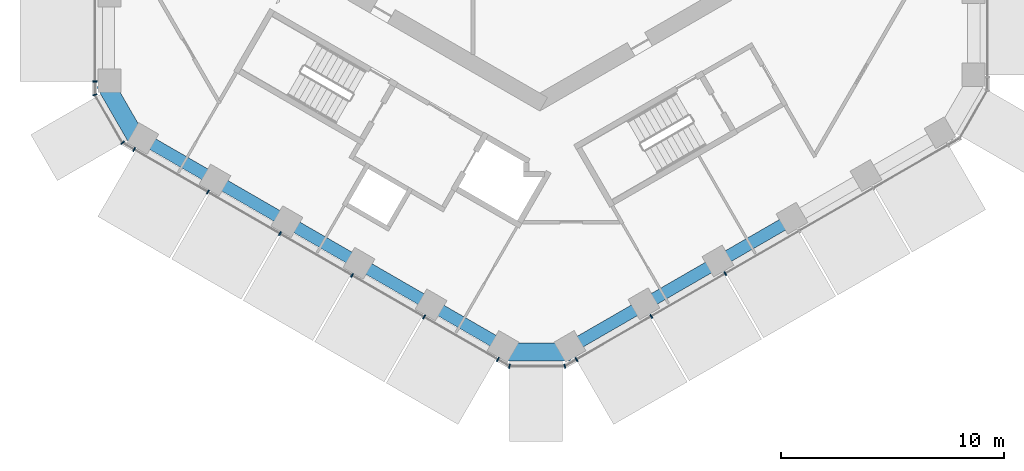
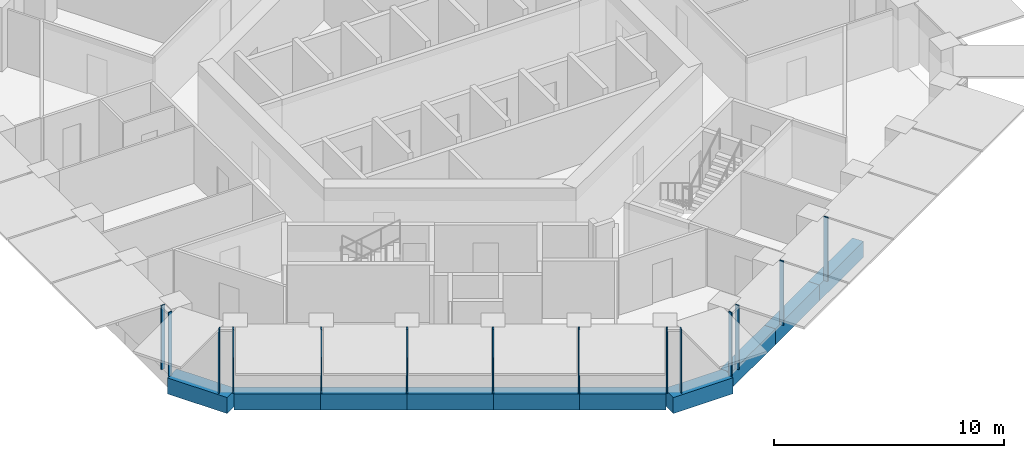
# One storey, part 2 of 18: 14 members, 10 beams, 5 elements without a shape of their own.
"""IFC4 building model written with IfcOpenShell, lengths in metres."""

import ifcopenshell
import ifcopenshell.guid

model = None  # the IFC model being written
_history = None  # IfcOwnerHistory: only IFC2X3 demands one
_inside = {}  # id of a spatial element -> (the spatial element, [elements in it])
_under = {}  # id of a project, library or spatial element -> (it, [spatial elements below it])
_declared = {}  # id of a project -> (the project, [libraries it declares])
_typed = {}  # id of a type object -> (the type object, [elements of that type])
_made_of = {}  # id of a material, layer set ... -> (it, [elements and type objects made of it])


def new_model(schema):
    """Start an empty IFC model of exactly this schema.

    Asked for "IFC4X3", IfcOpenShell would pick the latest addendum, in which some entities
    have other attributes; the version numbers below select the first issue.
    IFC2X3 requires an IfcOwnerHistory on every rooted entity: one is made here for all.
    """
    global model, _history
    if schema == "IFC4X3":
        model = ifcopenshell.file(schema_version=(4, 3, 0, 0))
    else:
        model = ifcopenshell.file(schema=schema)
    _inside.clear()
    _under.clear()
    _declared.clear()
    _typed.clear()
    _made_of.clear()
    _history = None
    if model.schema == "IFC2X3":
        org = make("IfcOrganization", Name="unknown")
        user = make(
            "IfcPersonAndOrganization",
            ThePerson=make("IfcPerson", FamilyName="unknown"),
            TheOrganization=org,
        )
        app = make(
            "IfcApplication",
            ApplicationDeveloper=org,
            Version="unknown",
            ApplicationFullName="unknown",
            ApplicationIdentifier="unknown",
        )
        _history = make(
            "IfcOwnerHistory",
            OwningUser=user,
            OwningApplication=app,
            ChangeAction="ADDED",
            CreationDate=0,
        )
    return model


def make(cls, **values):
    """One entity of the class cls with the attributes given. An attribute that is None is left unset."""
    return model.create_entity(
        cls, **{name: value for name, value in values.items() if value is not None}
    )


def rooted(cls, **values):
    """An entity with a GlobalId (a new one), such as an element, a storey or a relation."""
    return make(cls, GlobalId=ifcopenshell.guid.new(), OwnerHistory=_history, **values)


def si_unit(unit_type, name, prefix=None):
    """IfcSIUnit, for example si_unit("LENGTHUNIT", "METRE", prefix="MILLI")."""
    return make("IfcSIUnit", UnitType=unit_type, Prefix=prefix, Name=name)


def assignment(units):
    """IfcUnitAssignment: the units of a project."""
    return None if units is None else make("IfcUnitAssignment", Units=units)


def point(xyz):
    """IfcCartesianPoint."""
    return None if xyz is None else make("IfcCartesianPoint", Coordinates=xyz)


def direction(xyz):
    """IfcDirection."""
    return None if xyz is None else make("IfcDirection", DirectionRatios=xyz)


def frame(location, z_axis=None, x_axis=None):
    """IfcAxis2Placement3D, a coordinate frame: its origin and axes. An axis left out is left unset."""
    return make(
        "IfcAxis2Placement3D",
        Location=point(location),
        Axis=direction(z_axis),
        RefDirection=direction(x_axis),
    )


def frame_2d(location, x_axis=None):
    """IfcAxis2Placement2D, a coordinate frame in the plane: its origin and x axis."""
    return make(
        "IfcAxis2Placement2D", Location=point(location), RefDirection=direction(x_axis)
    )


def origin():
    """The frame at (0, 0, 0) with its axes left unset."""
    return frame((0.0, 0.0, 0.0))


def origin_2d():
    """The frame at (0, 0) in the plane with its x axis left unset."""
    return frame_2d((0.0, 0.0))


def place(relative_to, where):
    """IfcLocalPlacement: puts the frame where relative to a parent placement (None: the world)."""
    return make(
        "IfcLocalPlacement", PlacementRelTo=relative_to, RelativePlacement=where
    )


def context(
    kind, dimensions, precision=None, world=None, true_north=None, identifier=None
):
    """IfcGeometricRepresentationContext, for example the 3D "Model" context."""
    return make(
        "IfcGeometricRepresentationContext",
        ContextIdentifier=identifier,
        ContextType=kind,
        CoordinateSpaceDimension=dimensions,
        Precision=precision,
        WorldCoordinateSystem=world,
        TrueNorth=true_north,
    )


def subcontext(parent, identifier, kind, view, scale=None):
    """IfcGeometricRepresentationSubContext, for example "Body" below "Model"."""
    return make(
        "IfcGeometricRepresentationSubContext",
        ContextIdentifier=identifier,
        ContextType=kind,
        ParentContext=parent,
        TargetScale=scale,
        TargetView=view,
    )


def project(units=None, contexts=None):
    """IfcProject with its units and contexts."""
    return rooted(
        "IfcProject",
        Name="project",
        RepresentationContexts=contexts,
        UnitsInContext=assignment(units),
    )


def spatial(cls, under=None, at=None, **own):
    """A site, building, storey or space (cls), placed at a placement, below another one or the project."""
    s = rooted(cls, ObjectPlacement=at, **own)
    if under is not None:
        _under.setdefault(under.id(), (under, []))[1].append(s)
    return s


def profile(cls, at=None, kind="AREA", **sizes):
    """A parametric profile (cls). Its sizes go by their IFC names, for example OverallWidth=200.0."""
    return make(cls, ProfileType=kind, Position=at, **sizes)


def rectangle(**sizes):
    """IfcRectangleProfileDef."""
    return profile("IfcRectangleProfileDef", **sizes)


def extrude(swept, where, along, depth):
    """IfcExtrudedAreaSolid: the profile swept, set in the frame where, extruded along a direction by depth."""
    return make(
        "IfcExtrudedAreaSolid",
        SweptArea=swept,
        Position=where,
        ExtrudedDirection=direction(along),
        Depth=depth,
    )


def shape(context_of_items, identifier, shape_type, items):
    """IfcShapeRepresentation: the items that make up one representation, for example the "Body"."""
    return make(
        "IfcShapeRepresentation",
        ContextOfItems=context_of_items,
        RepresentationIdentifier=identifier,
        RepresentationType=shape_type,
        Items=items,
    )


def material(Name=None, Category=None):
    """IfcMaterial."""
    return make("IfcMaterial", Name=Name, Category=Category)


def layer(
    of_material, thickness, ventilated=None, Name=None, Category=None, Priority=None
):
    """IfcMaterialLayer: one layer of a wall or slab, of a material (None: an air gap)."""
    return make(
        "IfcMaterialLayer",
        Material=of_material,
        LayerThickness=thickness,
        IsVentilated=ventilated,
        Name=Name,
        Category=Category,
        Priority=Priority,
    )


def layer_set(layers, Name=None):
    """IfcMaterialLayerSet."""
    return make("IfcMaterialLayerSet", MaterialLayers=layers, LayerSetName=Name)


def material_profile(
    of_material, cross_section, Name=None, Category=None, Priority=None
):
    """IfcMaterialProfile: a cross section and its material."""
    return make(
        "IfcMaterialProfile",
        Name=Name,
        Material=of_material,
        Profile=cross_section,
        Priority=Priority,
        Category=Category,
    )


def profile_set(profiles, Name=None, composite=None):
    """IfcMaterialProfileSet."""
    return make(
        "IfcMaterialProfileSet",
        Name=Name,
        MaterialProfiles=profiles,
        CompositeProfile=composite,
    )


def made_of(thing, what):
    """Note that an element or type object is made of a material, layer set ...; save() writes the relation."""
    if what is not None:
        _made_of.setdefault(what.id(), (what, []))[1].append(thing)
    return thing


def type_object(cls, material=None, **own):
    """A type object (cls), such as IfcWallType, which elements share."""
    return made_of(rooted(cls, **own), material)


def element(
    cls,
    number,
    at=None,
    inside=None,
    cuts=None,
    type_object=None,
    material=None,
    context=None,
    identifier="Body",
    shape_type=None,
    held_by="IfcProductDefinitionShape",
    body=None,
    shapes=None,
    **own,
):
    """One element of the class cls, such as IfcWall. Its Tag is "e" and its number.

    at: its placement. inside: the storey or other place that contains it. cuts: it is an
    opening in that element (IfcRelVoidsElement). A single representation is given by context,
    identifier, shape_type and body (its items); several are given by shapes. held_by: the class
    of the entity that holds the representations. save() writes the other relations.
    """
    e = rooted(cls, Tag="e%d" % number, ObjectPlacement=at, **own)
    if body is not None:
        shapes = [shape(context, identifier, shape_type, body)]
    if shapes is not None:
        e.Representation = make(held_by, Representations=shapes)
    if inside is not None:
        _inside.setdefault(inside.id(), (inside, []))[1].append(e)
    if cuts is not None:
        rooted(
            "IfcRelVoidsElement", RelatingBuildingElement=cuts, RelatedOpeningElement=e
        )
    if type_object is not None:
        _typed.setdefault(type_object.id(), (type_object, []))[1].append(e)
    return made_of(e, material)


def aggregate(whole, parts):
    """IfcRelAggregates: a whole, such as a stair, and the parts it consists of."""
    return rooted("IfcRelAggregates", RelatingObject=whole, RelatedObjects=parts)


def save(model, path):
    """Write the relations noted so far, then the file.

    IfcRelAggregates (storeys below a building ...), IfcRelContainedInSpatialStructure (elements
    in a storey), IfcRelDefinesByType, IfcRelAssociatesMaterial and IfcRelDeclares: one each for
    every whole, place, type object, material and project.
    """
    for whole, parts in _under.values():
        aggregate(whole, parts)
    for where, things in _inside.values():
        rooted(
            "IfcRelContainedInSpatialStructure",
            RelatedElements=things,
            RelatingStructure=where,
        )
    for kind, things in _typed.values():
        rooted("IfcRelDefinesByType", RelatedObjects=things, RelatingType=kind)
    for what, things in _made_of.values():
        rooted("IfcRelAssociatesMaterial", RelatedObjects=things, RelatingMaterial=what)
    for by, libraries in _declared.values():
        rooted("IfcRelDeclares", RelatingContext=by, RelatedDefinitions=libraries)
    model.write(path)


model = new_model("IFC4")

# Units and contexts
model_context = context("Model", 3, precision=1e-05, world=origin(), true_north=direction((0.0, 1.0)))
body_context = subcontext(model_context, "Body", "Model", "MODEL_VIEW")
ifc_project = project(units=[si_unit("LENGTHUNIT", "METRE"), si_unit("AREAUNIT", "SQUARE_METRE"), si_unit("VOLUMEUNIT", "CUBIC_METRE"), si_unit("PLANEANGLEUNIT", "RADIAN"), si_unit("MASSUNIT", "GRAM", prefix="KILO")], contexts=[model_context])

# Site, building, storey
site_placement = place(None, origin())
site = spatial("IfcSite", under=ifc_project, at=site_placement, CompositionType="ELEMENT")
building_placement = place(site_placement, origin())
building = spatial("IfcBuilding", under=site, at=building_placement, Name="Ayvan Gate Tower", CompositionType="ELEMENT")
storey_placement = place(building_placement, frame((0.0, 0.0, 89.89990234375)))
storey = spatial("IfcBuildingStorey", under=building, at=storey_placement, Name="L23", CompositionType="ELEMENT", Elevation=89.89990234375)

# Beams
ifc_material_1 = material(Name="Concrete C40/50", Category="concrete")
ifc_material_profile_1 = material_profile(ifc_material_1, rectangle(XDim=0.800048828125, YDim=0.85009765625, at=origin_2d()), Name="RC 800x850")
ifc_profile_set_1 = profile_set([ifc_material_profile_1], Name="Concrete C40/50")
beam_type_1 = type_object("IfcBeamType", Name="Corner spandrel beam RC 800x850 C40/50", PredefinedType="BEAM", material=ifc_profile_set_1)
for number, where, z_axis, x_axis, name in (
    (1, (-19.571044921875, -9.688720703125, -0.77490234375), (0.499990139034, -0.866031096941, 0.0), (0.866031096941, 0.499990139034, 0.0), "SB-L23-24"),
    (2, (-1.605224609375, -21.793212890625, -0.77490234375), (1.0, 0.0, 0.0), (0.0, 1.0, 0.0), "SB-L23-30"),
):
    element("IfcBeam", number, at=place(storey_placement, frame(where, z_axis=z_axis, x_axis=x_axis)), inside=storey, type_object=beam_type_1, Name=name, PredefinedType="BEAM", context=body_context, shape_type="SweptSolid", body=[
        extrude(rectangle(XDim=0.800048828125, YDim=0.85009765625, at=origin_2d()), origin(), (0.0, 0.0, 1.0), 3.0),
    ])
ifc_material_profile_2 = material_profile(ifc_material_1, rectangle(XDim=0.550048828125, YDim=0.85009765625, at=origin_2d()), Name="RC 550x850")
ifc_profile_set_2 = profile_set([ifc_material_profile_2], Name="Concrete C40/50")
beam_type_2 = type_object("IfcBeamType", Name="Spandrel beam RC 550x850 C40/50", PredefinedType="BEAM", material=ifc_profile_set_2)
beam_1_placement = place(storey_placement, frame((-17.88037109375, -12.1767578125, -0.77490234375), z_axis=(0.866020091923, -0.500009200302, 0.0), x_axis=(0.500009200302, 0.866020091923, 0.0)))
element("IfcBeam", 3, at=beam_1_placement, inside=storey, type_object=beam_type_2, Name="SB-L23-25", PredefinedType="BEAM", context=body_context, shape_type="SweptSolid", body=[
    extrude(rectangle(XDim=0.550048828125, YDim=0.85009765625, at=origin_2d()), origin(), (0.0, 0.0, 1.0), 3.7587890625),
])
beam_2_placement = place(storey_placement, frame((-14.625244140625, -14.05615234375, -0.77490234375), z_axis=(0.866031979728, -0.499988609959, 0.0), x_axis=(0.499988609959, 0.866031979728, 0.0)))
element("IfcBeam", 4, at=beam_2_placement, inside=storey, type_object=beam_type_2, Name="SB-L23-26", PredefinedType="BEAM", context=body_context, shape_type="SweptSolid", body=[
    extrude(rectangle(XDim=0.550048828125, YDim=0.85009765625, at=origin_2d()), origin(), (0.0, 0.0, 1.0), 3.75830078125),
])
beam_3_placement = place(storey_placement, frame((-11.370361328125, -15.935302734375, -0.77490234375), z_axis=(0.866020091923, -0.500009200302, 0.0), x_axis=(0.500009200302, 0.866020091923, 0.0)))
element("IfcBeam", 5, at=beam_3_placement, inside=storey, type_object=beam_type_2, Name="SB-L23-27", PredefinedType="BEAM", context=body_context, shape_type="SweptSolid", body=[
    extrude(rectangle(XDim=0.550048828125, YDim=0.85009765625, at=origin_2d()), origin(), (0.0, 0.0, 1.0), 3.7587890625),
])
for number, where, z_axis, x_axis, name in (
    (6, (-8.115234375, -17.814697265625, -0.77490234375), (0.866048217342, -0.499960483678, 0.0), (0.499960483678, 0.866048217342, 0.0), "SB-L23-28"),
    (7, (-4.860107421875, -19.69384765625, -0.77490234375), (0.866003851672, -0.500037327496, 0.0), (0.500037327496, 0.866003851672, 0.0), "SB-L23-29"),
):
    element("IfcBeam", number, at=place(storey_placement, frame(where, z_axis=z_axis, x_axis=x_axis)), inside=storey, type_object=beam_type_2, Name=name, PredefinedType="BEAM", context=body_context, shape_type="SweptSolid", body=[
        extrude(rectangle(XDim=0.550048828125, YDim=0.85009765625, at=origin_2d()), origin(), (0.0, 0.0, 1.0), 3.758544921875),
    ])
beam_4_placement = place(storey_placement, frame((1.394775390625, -21.5732421875, -0.77490234375), z_axis=(0.866018988906, 0.500011110731, 0.0), x_axis=(-0.500011110731, 0.866018988906, 0.0)))
element("IfcBeam", 8, at=beam_4_placement, inside=storey, type_object=beam_type_2, Name="SB-L23-31", PredefinedType="BEAM", context=body_context, shape_type="SweptSolid", body=[
    extrude(rectangle(XDim=0.550048828125, YDim=0.85009765625, at=origin_2d()), origin(), (0.0, 0.0, 1.0), 3.83154296875),
])
beam_5_placement = place(storey_placement, frame((4.712890625, -19.657470703125, -0.77490234375), z_axis=(0.866034918304, 0.499983520007, 0.0), x_axis=(-0.499983520007, 0.866034918304, 0.0)))
element("IfcBeam", 9, at=beam_5_placement, inside=storey, type_object=beam_type_2, Name="SB-L23-32", PredefinedType="BEAM", context=body_context, shape_type="SweptSolid", body=[
    extrude(rectangle(XDim=0.550048828125, YDim=0.85009765625, at=origin_2d()), origin(), (0.0, 0.0, 1.0), 3.831787109375),
])
beam_6_placement = place(storey_placement, frame((8.03125, -17.74169921875, -0.77490234375), z_axis=(0.866046580459, 0.499963319129, 0.0), x_axis=(-0.499963319129, 0.866046580459, 0.0)))
element("IfcBeam", 10, at=beam_6_placement, inside=storey, type_object=beam_type_2, Name="SB-L23-33", PredefinedType="BEAM", context=body_context, shape_type="SweptSolid", body=[
    extrude(rectangle(XDim=0.550048828125, YDim=0.85009765625, at=origin_2d()), origin(), (0.0, 0.0, 1.0), 3.831298828125),
])

# Curtain wall, member
ifc_material_2 = material(Name="Bronze anodised aluminium", Category="aluminium")
ifc_layer_1 = layer(ifc_material_2, 0.199951171875)
ifc_layer_set_1 = layer_set([ifc_layer_1], Name="Bronze anodised aluminium")
curtain_wall_type_1 = type_object("IfcCurtainWallType", Name="Stick curtain wall CW-1", PredefinedType="NOTDEFINED", material=ifc_layer_set_1)
curtain_wall_1_placement = place(storey_placement, origin())
curtain_wall_1 = element("IfcCurtainWall", 11, at=curtain_wall_1_placement, inside=storey, type_object=curtain_wall_type_1, Name="Stick curtain wall CW-1 L23", PredefinedType="NOTDEFINED")
ifc_material_profile_3 = material_profile(ifc_material_2, rectangle(XDim=0.199951171875, YDim=0.06005859375, at=origin_2d()), Name="Stick curtain wall CW-1 mullion 200 x 60")
ifc_profile_set_3 = profile_set([ifc_material_profile_3], Name="Bronze anodised aluminium")
member_type_1 = type_object("IfcMemberType", Name="Stick curtain wall CW-1 mullion 200 x 60", PredefinedType="MULLION", material=ifc_profile_set_3)
member_1_placement = place(storey_placement, frame((-19.991943359375, -9.638671875, 0.0), z_axis=(0.0, 0.0, 1.0), x_axis=(-1.0, 0.0, 0.0)))
member_1 = element("IfcMember", 12, at=member_1_placement, type_object=member_type_1, Name="CW-1 mullion 6", PredefinedType="MULLION", context=body_context, shape_type="SweptSolid", body=[
    extrude(rectangle(XDim=0.199951171875, YDim=0.06005859375, at=origin_2d()), origin(), (0.0, 0.0, 1.0), 3.400146484375),
])
aggregate(curtain_wall_1, [member_1])

# Curtain wall, members
curtain_wall_2_placement = place(storey_placement, origin())
curtain_wall_2 = element("IfcCurtainWall", 13, at=curtain_wall_2_placement, inside=storey, type_object=curtain_wall_type_1, Name="Stick curtain wall CW-1 L23", PredefinedType="NOTDEFINED")
member_2_placement = place(storey_placement, frame((-18.224609375, -12.69970703125, 0.0), z_axis=(0.0, 0.0, 1.0), x_axis=(-0.5, -0.866025403784, 0.0)))
member_2 = element("IfcMember", 14, at=member_2_placement, type_object=member_type_1, Name="CW-1 mullion 1", PredefinedType="MULLION", context=body_context, shape_type="SweptSolid", body=[
    extrude(rectangle(XDim=0.199951171875, YDim=0.06005859375, at=origin_2d()), origin(), (0.0, 0.0, 1.0), 3.400146484375),
])
member_3_placement = place(storey_placement, frame((-14.912109375, -14.612060546875, 0.0), z_axis=(0.0, 0.0, 1.0), x_axis=(-0.5, -0.866025403784, 0.0)))
member_3 = element("IfcMember", 15, at=member_3_placement, type_object=member_type_1, Name="CW-1 mullion 2", PredefinedType="MULLION", context=body_context, shape_type="SweptSolid", body=[
    extrude(rectangle(XDim=0.199951171875, YDim=0.06005859375, at=origin_2d()), origin(), (0.0, 0.0, 1.0), 3.400146484375),
])
member_4_placement = place(storey_placement, frame((-11.674072265625, -16.481689453125, 0.0), z_axis=(0.0, 0.0, 1.0), x_axis=(-0.5, -0.866025403784, 0.0)))
member_4 = element("IfcMember", 16, at=member_4_placement, type_object=member_type_1, Name="CW-1 mullion 3", PredefinedType="MULLION", context=body_context, shape_type="SweptSolid", body=[
    extrude(rectangle(XDim=0.199951171875, YDim=0.06005859375, at=origin_2d()), origin(), (0.0, 0.0, 1.0), 3.400146484375),
])
member_5_placement = place(storey_placement, frame((-8.43603515625, -18.35107421875, 0.0), z_axis=(0.0, 0.0, 1.0), x_axis=(-0.5, -0.866025403784, 0.0)))
member_5 = element("IfcMember", 17, at=member_5_placement, type_object=member_type_1, Name="CW-1 mullion 4", PredefinedType="MULLION", context=body_context, shape_type="SweptSolid", body=[
    extrude(rectangle(XDim=0.199951171875, YDim=0.06005859375, at=origin_2d()), origin(), (0.0, 0.0, 1.0), 3.400146484375),
])
member_6_placement = place(storey_placement, frame((-5.19873046875, -20.22021484375, 0.0), z_axis=(0.0, 0.0, 1.0), x_axis=(-0.5, -0.866025403784, 0.0)))
member_6 = element("IfcMember", 18, at=member_6_placement, type_object=member_type_1, Name="CW-1 mullion 5", PredefinedType="MULLION", context=body_context, shape_type="SweptSolid", body=[
    extrude(rectangle(XDim=0.199951171875, YDim=0.06005859375, at=origin_2d()), origin(), (0.0, 0.0, 1.0), 3.400146484375),
])
member_7_placement = place(storey_placement, frame((-1.885986328125, -22.1328125, 0.0), z_axis=(0.0, 0.0, 1.0), x_axis=(-0.5, -0.866025403784, 0.0)))
member_7 = element("IfcMember", 19, at=member_7_placement, type_object=member_type_1, Name="CW-1 mullion 6", PredefinedType="MULLION", context=body_context, shape_type="SweptSolid", body=[
    extrude(rectangle(XDim=0.199951171875, YDim=0.06005859375, at=origin_2d()), origin(), (0.0, 0.0, 1.0), 3.400146484375),
])
aggregate(curtain_wall_2, [member_2, member_3, member_4, member_5, member_6, member_7])

curtain_wall_3_placement = place(storey_placement, origin())
curtain_wall_3 = element("IfcCurtainWall", 20, at=curtain_wall_3_placement, inside=storey, type_object=curtain_wall_type_1, Name="Stick curtain wall CW-1 L23", PredefinedType="NOTDEFINED")
member_8_placement = place(storey_placement, frame((1.6484375, -22.1328125, 0.0), z_axis=(0.0, 0.0, 1.0), x_axis=(0.5, -0.866025403784, 0.0)))
member_8 = element("IfcMember", 21, at=member_8_placement, type_object=member_type_1, Name="CW-1 mullion 1", PredefinedType="MULLION", context=body_context, shape_type="SweptSolid", body=[
    extrude(rectangle(XDim=0.199951171875, YDim=0.06005859375, at=origin_2d()), origin(), (0.0, 0.0, 1.0), 3.400146484375),
])
member_9_placement = place(storey_placement, frame((5.006103515625, -20.1943359375, 0.0), z_axis=(0.0, 0.0, 1.0), x_axis=(0.5, -0.866025403784, 0.0)))
member_9 = element("IfcMember", 22, at=member_9_placement, type_object=member_type_1, Name="CW-1 mullion 2", PredefinedType="MULLION", context=body_context, shape_type="SweptSolid", body=[
    extrude(rectangle(XDim=0.199951171875, YDim=0.06005859375, at=origin_2d()), origin(), (0.0, 0.0, 1.0), 3.400146484375),
])
member_10_placement = place(storey_placement, frame((8.33251953125, -18.27392578125, 0.0), z_axis=(0.0, 0.0, 1.0), x_axis=(0.5, -0.866025403784, 0.0)))
member_10 = element("IfcMember", 23, at=member_10_placement, type_object=member_type_1, Name="CW-1 mullion 3", PredefinedType="MULLION", context=body_context, shape_type="SweptSolid", body=[
    extrude(rectangle(XDim=0.199951171875, YDim=0.06005859375, at=origin_2d()), origin(), (0.0, 0.0, 1.0), 3.400146484375),
])
aggregate(curtain_wall_3, [member_8, member_9, member_10])

ifc_layer_2 = layer(ifc_material_2, 0.199951171875)
ifc_layer_set_2 = layer_set([ifc_layer_2], Name="Bronze anodised aluminium")
curtain_wall_type_2 = type_object("IfcCurtainWallType", Name="Stick curtain wall CW-6", PredefinedType="NOTDEFINED", material=ifc_layer_set_2)
curtain_wall_4_placement = place(storey_placement, origin())
curtain_wall_4 = element("IfcCurtainWall", 24, at=curtain_wall_4_placement, inside=storey, type_object=curtain_wall_type_2, Name="Stick curtain wall CW-6 L23", PredefinedType="NOTDEFINED")
ifc_material_profile_4 = material_profile(ifc_material_2, rectangle(XDim=0.199951171875, YDim=0.050048828125, at=origin_2d()), Name="Stick curtain wall CW-6 mullion 200 x 50")
ifc_profile_set_4 = profile_set([ifc_material_profile_4], Name="Bronze anodised aluminium")
member_type_2 = type_object("IfcMemberType", Name="Stick curtain wall CW-6 mullion 200 x 50", PredefinedType="MULLION", material=ifc_profile_set_4)
member_11_placement = place(storey_placement, frame((-19.991943359375, -10.24365234375, 0.0), z_axis=(0.0, 0.0, 1.0), x_axis=(-0.965925826289, -0.258819045103, 0.0)))
member_11 = element("IfcMember", 25, at=member_11_placement, type_object=member_type_2, Name="CW-6 mullion 2", PredefinedType="MULLION", context=body_context, shape_type="SweptSolid", body=[
    extrude(rectangle(XDim=0.199951171875, YDim=0.050048828125, at=origin_2d()), origin(), (0.0, 0.0, 1.0), 3.400146484375),
])
member_12_placement = place(storey_placement, frame((-18.74853515625, -12.397216796875, 0.0), z_axis=(0.0, 0.0, 1.0), x_axis=(-0.707106781187, -0.707106781187, 0.0)))
member_12 = element("IfcMember", 26, at=member_12_placement, type_object=member_type_2, Name="CW-6 mullion 3", PredefinedType="MULLION", context=body_context, shape_type="SweptSolid", body=[
    extrude(rectangle(XDim=0.199951171875, YDim=0.050048828125, at=origin_2d()), origin(), (0.0, 0.0, 1.0), 3.400146484375),
])
aggregate(curtain_wall_4, [member_11, member_12])

curtain_wall_5_placement = place(storey_placement, origin())
curtain_wall_5 = element("IfcCurtainWall", 27, at=curtain_wall_5_placement, inside=storey, type_object=curtain_wall_type_2, Name="Stick curtain wall CW-6 L23", PredefinedType="NOTDEFINED")
member_13_placement = place(storey_placement, frame((-1.362060546875, -22.435302734375, 0.0), z_axis=(0.0, 0.0, 1.0), x_axis=(-0.258819045103, -0.965925826289, 0.0)))
member_13 = element("IfcMember", 28, at=member_13_placement, type_object=member_type_2, Name="CW-6 mullion 2", PredefinedType="MULLION", context=body_context, shape_type="SweptSolid", body=[
    extrude(rectangle(XDim=0.199951171875, YDim=0.050048828125, at=origin_2d()), origin(), (0.0, 0.0, 1.0), 3.400146484375),
])
member_14_placement = place(storey_placement, frame((1.12451171875, -22.435302734375, 0.0), z_axis=(0.0, 0.0, 1.0), x_axis=(0.258819045103, -0.965925826289, 0.0)))
member_14 = element("IfcMember", 29, at=member_14_placement, type_object=member_type_2, Name="CW-6 mullion 3", PredefinedType="MULLION", context=body_context, shape_type="SweptSolid", body=[
    extrude(rectangle(XDim=0.199951171875, YDim=0.050048828125, at=origin_2d()), origin(), (0.0, 0.0, 1.0), 3.400146484375),
])
aggregate(curtain_wall_5, [member_13, member_14])

save(model, "model.ifc")
